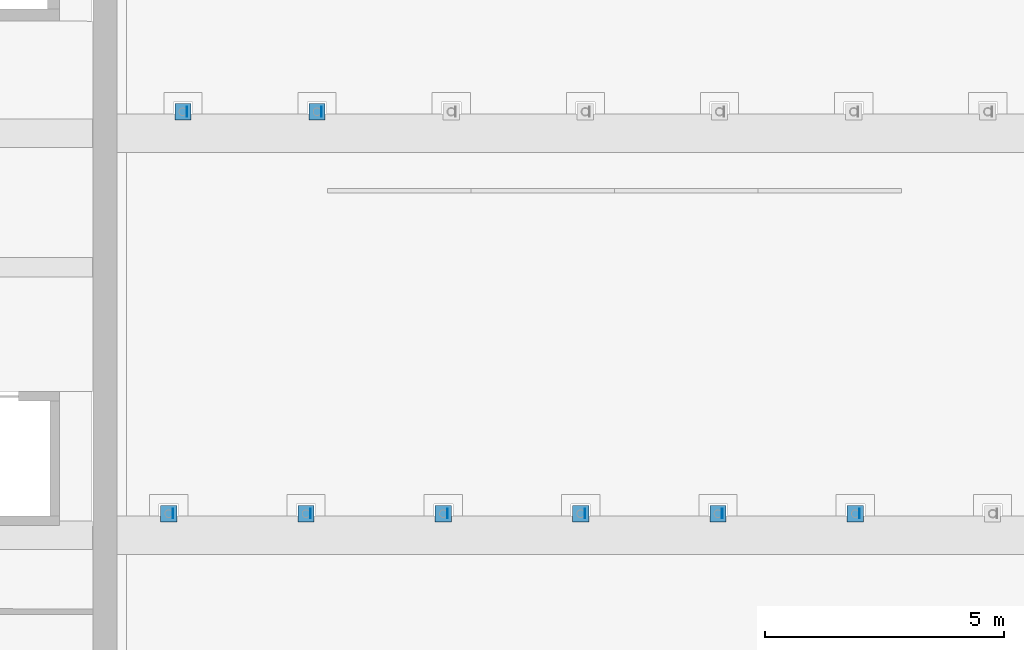
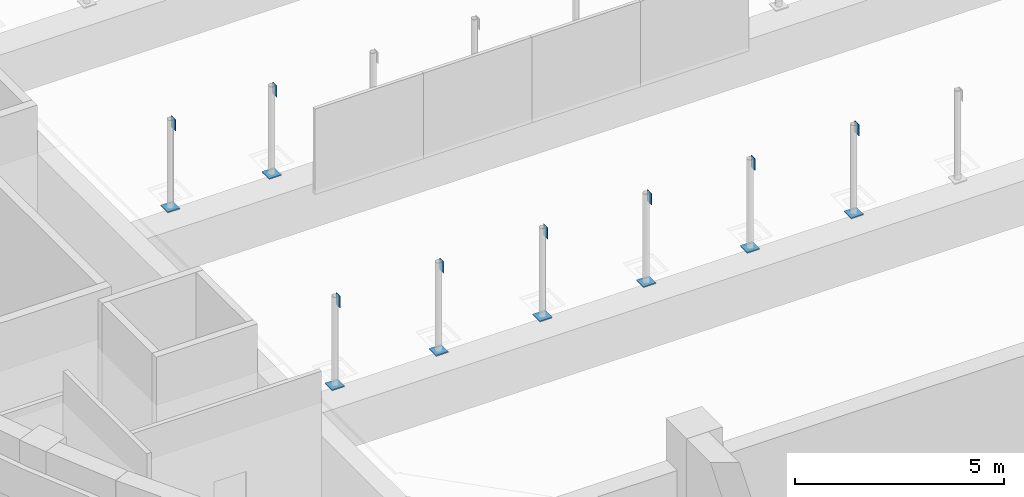
# One storey, part 34 of 47: 16 discrete accessories.
"""IFC4 building model written with IfcOpenShell, lengths in metres."""

from ifc_helpers import new_model, si_unit, direction, frame, origin, origin_2d, place, context, subcontext, project, spatial, rectangle, extrude, material, layer, layer_set, material_profile, profile_set, type_object, element, save


model = new_model("IFC4")

# Units and contexts
model_context = context("Model", 3, precision=1e-05, world=origin(), true_north=direction((0.0, 1.0)))
body_context = subcontext(model_context, "Body", "Model", "MODEL_VIEW")
ifc_project = project(units=[si_unit("LENGTHUNIT", "METRE"), si_unit("AREAUNIT", "SQUARE_METRE"), si_unit("VOLUMEUNIT", "CUBIC_METRE"), si_unit("PLANEANGLEUNIT", "RADIAN"), si_unit("MASSUNIT", "GRAM", prefix="KILO")], contexts=[model_context])

# Site, building, storey
site_placement = place(None, origin())
site = spatial("IfcSite", under=ifc_project, at=site_placement, CompositionType="ELEMENT")
building_placement = place(site_placement, origin())
building = spatial("IfcBuilding", under=site, at=building_placement, Name="Larchfold Concert Hall", CompositionType="ELEMENT")
storey_placement = place(building_placement, frame((0.0, 0.0, 24.0)))
storey = spatial("IfcBuildingStorey", under=building, at=storey_placement, Name="L05", CompositionType="ELEMENT", Elevation=24.0)

# Discrete accessories
ifc_material_1 = material(Name="Steel S355 galvanised bracket", Category="steel")
ifc_material_profile = material_profile(ifc_material_1, rectangle(XDim=0.011962890625, YDim=0.199951171875, at=origin_2d()))
ifc_profile_set = profile_set([ifc_material_profile], Name="Steel S355 galvanised bracket")
discrete_accessory_type_1 = type_object("IfcDiscreteAccessoryType", Name="Gusset plate 12x200", PredefinedType="BRACKET", material=ifc_profile_set)
for number, where, z_axis, x_axis, name in (
    (1, (29.77490234375, 68.25, 4.33837890625), (0.0, 0.0, 1.0), (1.0, 0.0, 0.0), "Gusset plate GP0073"),
    (2, (32.644775390625, 68.25, 4.33837890625), (0.0, 0.0, 1.0), (1.0, 0.0, 0.0), "Gusset plate GP0074"),
    (3, (35.514892578125, 68.25, 4.33837890625), (0.0, 0.0, 1.0), (1.0, 0.0, 0.0), "Gusset plate GP0075"),
    (4, (38.385009765625, 68.25, 4.33837890625), (0.0, 0.0, 1.0), (1.0, 0.0, 0.0), "Gusset plate GP0076"),
    (5, (41.255126953125, 68.25, 4.33837890625), (0.0, 0.0, 1.0), (1.0, 0.0, 0.0), "Gusset plate GP0077"),
    (6, (44.125244140625, 68.25, 4.33837890625), (0.0, 0.0, 1.0), (1.0, 0.0, 0.0), "Gusset plate GP0078"),
    (7, (30.0712890625, 76.650146484375, 4.3134765625), (0.0, 0.0, 1.0), (1.0, 0.0, 0.0), "Gusset plate GP0083"),
    (8, (32.87548828125, 76.650146484375, 4.3134765625), (0.0, 0.0, 1.0), (1.0, 0.0, 0.0), "Gusset plate GP0084"),
):
    element("IfcDiscreteAccessory", number, at=place(storey_placement, frame(where, z_axis=z_axis, x_axis=x_axis)), inside=storey, type_object=discrete_accessory_type_1, Name=name, PredefinedType="BRACKET", context=body_context, shape_type="SweptSolid", body=[
        extrude(rectangle(XDim=0.011962890625, YDim=0.199951171875, at=origin_2d()), origin(), (0.0, 0.0, 1.0), 0.336669921875),
    ])
ifc_material_2 = material(Name="Steel S355 galvanised bracket", Category="steel")
ifc_layer = layer(ifc_material_2, 0.030029296875)
ifc_layer_set = layer_set([ifc_layer], Name="Steel S355 galvanised bracket")
discrete_accessory_type_2 = type_object("IfcDiscreteAccessoryType", Name="Post base plate 340x340x30", PredefinedType="BRACKET", material=ifc_layer_set)
for number, where, z_axis, x_axis, name in (
    (9, (29.684814453125, 68.25, 2.0498046875), (0.0, 0.0, 1.0), (1.0, 0.0, 0.0), "Post base plate BP001"),
    (10, (32.5546875, 68.25, 2.0498046875), (0.0, 0.0, 1.0), (1.0, 0.0, 0.0), "Post base plate BP002"),
    (11, (35.4248046875, 68.25, 2.0498046875), (0.0, 0.0, 1.0), (1.0, 0.0, 0.0), "Post base plate BP003"),
    (12, (38.294921875, 68.25, 2.0498046875), (0.0, 0.0, 1.0), (1.0, 0.0, 0.0), "Post base plate BP004"),
    (13, (41.1650390625, 68.25, 2.0498046875), (0.0, 0.0, 1.0), (1.0, 0.0, 0.0), "Post base plate BP005"),
    (14, (44.03515625, 68.25, 2.0498046875), (0.0, 0.0, 1.0), (1.0, 0.0, 0.0), "Post base plate BP006"),
    (15, (29.981201171875, 76.650146484375, 2.0498046875), (0.0, 0.0, 1.0), (1.0, 0.0, 0.0), "Post base plate BP011"),
    (16, (32.785400390625, 76.650146484375, 2.0498046875), (0.0, 0.0, 1.0), (1.0, 0.0, 0.0), "Post base plate BP012"),
):
    element("IfcDiscreteAccessory", number, at=place(storey_placement, frame(where, z_axis=z_axis, x_axis=x_axis)), inside=storey, type_object=discrete_accessory_type_2, Name=name, PredefinedType="BRACKET", context=body_context, shape_type="SweptSolid", body=[
        extrude(rectangle(XDim=0.340087890625, YDim=0.340087890625, at=origin_2d()), origin(), (0.0, 0.0, 1.0), 0.030029296875),
    ])

save(model, "model.ifc")
